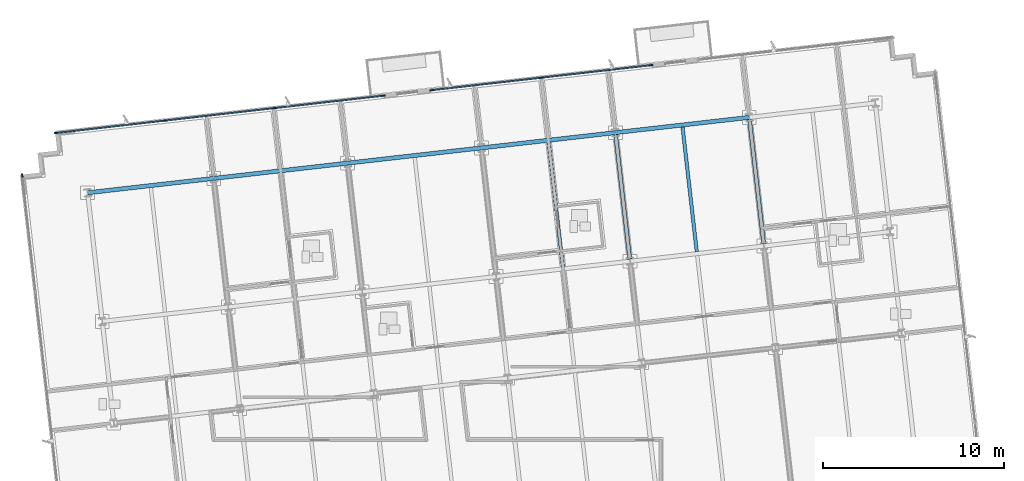
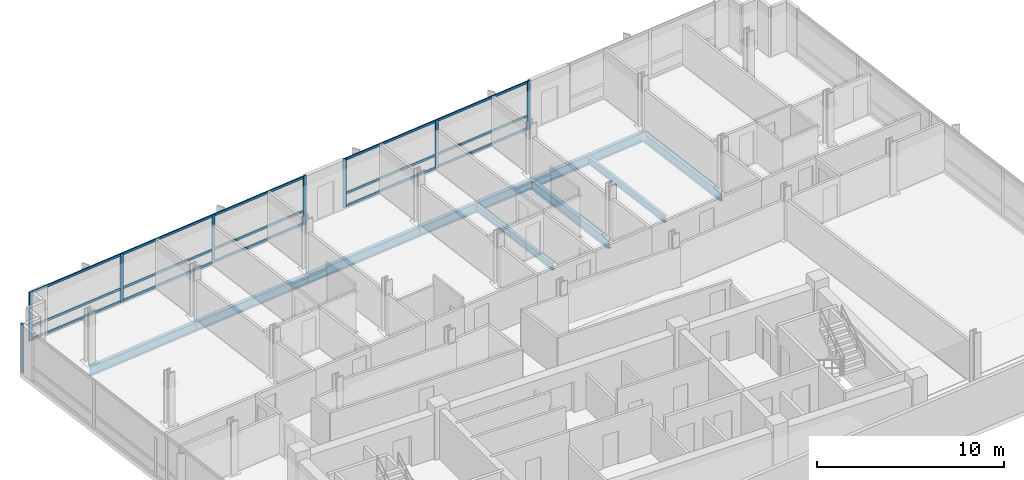
# One storey, part 5 of 16: 23 members, 9 beams, 3 elements without a shape of their own.
"""IFC4 building model written with IfcOpenShell, lengths in metres."""

from ifc_helpers import new_model, si_unit, direction, frame, origin, origin_2d, place, context, subcontext, project, spatial, rectangle, i_section, extrude, material, material_profile, profile_set, type_object, element, aggregate, save


model = new_model("IFC4")

# Units and contexts
model_context = context("Model", 3, precision=1e-05, world=origin(), true_north=direction((0.0, 1.0)))
body_context = subcontext(model_context, "Body", "Model", "MODEL_VIEW")
ifc_project = project(units=[si_unit("LENGTHUNIT", "METRE"), si_unit("AREAUNIT", "SQUARE_METRE"), si_unit("VOLUMEUNIT", "CUBIC_METRE"), si_unit("PLANEANGLEUNIT", "RADIAN"), si_unit("MASSUNIT", "GRAM", prefix="KILO")], contexts=[model_context])

# Site, building, storey
site_placement = place(None, origin())
site = spatial("IfcSite", under=ifc_project, at=site_placement, CompositionType="ELEMENT")
building_placement = place(site_placement, origin())
building = spatial("IfcBuilding", under=site, at=building_placement, Name="Solmavex Isthmus Hotel", CompositionType="ELEMENT")
storey_placement = place(building_placement, frame((0.0, 0.0, 205.5)))
storey = spatial("IfcBuildingStorey", under=building, at=storey_placement, Name="L55", CompositionType="ELEMENT", Elevation=205.5)

# Beams
ifc_material_1 = material(Name="Steel ASTM A992 Grade 50", Category="steel")
ifc_material_profile_1 = material_profile(ifc_material_1, i_section(OverallWidth=0.1904296875, OverallDepth=0.456787109375, WebThickness=0.009033203125, FlangeThickness=0.014404296875, FilletRadius=0.0126953125, at=origin_2d()), Name="W18X50")
ifc_profile_set_1 = profile_set([ifc_material_profile_1], Name="Steel ASTM A992 Grade 50")
beam_type_1 = type_object("IfcBeamType", Name="BM-BJ-W18X50", PredefinedType="JOIST", material=ifc_profile_set_1)
for number, where, z_axis, x_axis, name in (
    (1, (7.009033203125, 10.1328125, -0.488525390625), (-0.113202453846, 0.993571942258, 0.0), (-0.993571942258, -0.113202453846, 0.0), "Secondary Floor Joist L55-J14"),
    (2, (14.4072265625, 10.975830078125, -0.488525390625), (-0.113202453846, 0.993571942258, 0.0), (-0.993571942258, -0.113202453846, 0.0), "Secondary Floor Joist L55-J18"),
):
    element("IfcBeam", number, at=place(storey_placement, frame(where, z_axis=z_axis, x_axis=x_axis)), inside=storey, type_object=beam_type_1, Name=name, PredefinedType="JOIST", context=body_context, shape_type="SweptSolid", body=[
        extrude(i_section(OverallWidth=0.1904296875, OverallDepth=0.456787109375, WebThickness=0.009033203125, FlangeThickness=0.014404296875, FilletRadius=0.0126953125, at=origin_2d()), origin(), (0.0, 0.0, 1.0), 6.9228515625),
    ])
ifc_material_profile_2 = material_profile(ifc_material_1, i_section(OverallWidth=0.227783203125, OverallDepth=0.602783203125, WebThickness=0.010498046875, FlangeThickness=0.014892578125, FilletRadius=0.01513671875, at=origin_2d()), Name="W24X68")
ifc_profile_set_2 = profile_set([ifc_material_profile_2], Name="Steel ASTM A992 Grade 50")
beam_type_2 = type_object("IfcBeamType", Name="BM-BM-W24X68", PredefinedType="BEAM", material=ifc_profile_set_2)
for number, where, z_axis, x_axis, name in (
    (3, (10.708251953125, 10.55419921875, -0.561279296875), (-0.113202453846, 0.993571942258, 0.0), (-0.993571942258, -0.113202453846, 0.0), "Floor Beam L55-VG39"),
    (4, (18.106201171875, 11.397216796875, -0.561279296875), (-0.113202453846, 0.993571942258, 0.0), (-0.993571942258, -0.113202453846, 0.0), "Floor Beam L55-VG42"),
):
    element("IfcBeam", number, at=place(storey_placement, frame(where, z_axis=z_axis, x_axis=x_axis)), inside=storey, type_object=beam_type_2, Name=name, PredefinedType="BEAM", context=body_context, shape_type="SweptSolid", body=[
        extrude(i_section(OverallWidth=0.227783203125, OverallDepth=0.602783203125, WebThickness=0.010498046875, FlangeThickness=0.014892578125, FilletRadius=0.01513671875, at=origin_2d()), origin(), (0.0, 0.0, 1.0), 6.9228515625),
    ])
ifc_material_profile_3 = material_profile(ifc_material_1, i_section(OverallWidth=0.230224609375, OverallDepth=0.617431640625, WebThickness=0.01318359375, FlangeThickness=0.022216796875, FilletRadius=0.01513671875, at=origin_2d()), Name="W24X94")
ifc_profile_set_3 = profile_set([ifc_material_profile_3], Name="Steel ASTM A992 Grade 50")
beam_type_3 = type_object("IfcBeamType", Name="BM-SP-W24X94", PredefinedType="SPANDREL", material=ifc_profile_set_3)
beam_1_placement = place(storey_placement, frame((-19.245849609375, 14.22509765625, -0.56884765625), z_axis=(0.99357359356, 0.113187959519, 0.0), x_axis=(-0.113187959519, 0.99357359356, 0.0)))
element("IfcBeam", 5, at=beam_1_placement, inside=storey, type_object=beam_type_3, Name="Floor Girder L55-UG18", PredefinedType="SPANDREL", context=body_context, shape_type="SweptSolid", body=[
    extrude(i_section(OverallWidth=0.230224609375, OverallDepth=0.617431640625, WebThickness=0.01318359375, FlangeThickness=0.022216796875, FilletRadius=0.01513671875, at=origin_2d()), origin(), (0.0, 0.0, 1.0), 7.0078125),
])
beam_2_placement = place(storey_placement, frame((-12.282958984375, 15.018310546875, -0.56884765625), z_axis=(0.9935703463, 0.113216460607, 0.0), x_axis=(-0.113216460607, 0.9935703463, 0.0)))
element("IfcBeam", 6, at=beam_2_placement, inside=storey, type_object=beam_type_3, Name="Floor Girder L55-UG19", PredefinedType="SPANDREL", context=body_context, shape_type="SweptSolid", body=[
    extrude(i_section(OverallWidth=0.230224609375, OverallDepth=0.617431640625, WebThickness=0.01318359375, FlangeThickness=0.022216796875, FilletRadius=0.01513671875, at=origin_2d()), origin(), (0.0, 0.0, 1.0), 7.446044921875),
])
beam_3_placement = place(storey_placement, frame((-4.884765625, 15.861328125, -0.56884765625), z_axis=(0.993573613989, 0.113187780196, 0.0), x_axis=(-0.113187780196, 0.993573613989, 0.0)))
element("IfcBeam", 7, at=beam_3_placement, inside=storey, type_object=beam_type_3, Name="Floor Girder L55-UG20", PredefinedType="SPANDREL", context=body_context, shape_type="SweptSolid", body=[
    extrude(i_section(OverallWidth=0.230224609375, OverallDepth=0.617431640625, WebThickness=0.01318359375, FlangeThickness=0.022216796875, FilletRadius=0.01513671875, at=origin_2d()), origin(), (0.0, 0.0, 1.0), 7.44580078125),
])
for number, where, z_axis, x_axis, name in (
    (8, (2.51318359375, 16.7041015625, -0.56884765625), (0.9935703463, 0.113216460607, 0.0), (-0.113216460607, 0.9935703463, 0.0), "Floor Girder L55-UG21"),
    (9, (9.911376953125, 17.547119140625, -0.56884765625), (0.9935703463, 0.113216460607, 0.0), (-0.113216460607, 0.9935703463, 0.0), "Floor Girder L55-UG22"),
):
    element("IfcBeam", number, at=place(storey_placement, frame(where, z_axis=z_axis, x_axis=x_axis)), inside=storey, type_object=beam_type_3, Name=name, PredefinedType="SPANDREL", context=body_context, shape_type="SweptSolid", body=[
        extrude(i_section(OverallWidth=0.230224609375, OverallDepth=0.617431640625, WebThickness=0.01318359375, FlangeThickness=0.022216796875, FilletRadius=0.01513671875, at=origin_2d()), origin(), (0.0, 0.0, 1.0), 7.446044921875),
    ])

# Curtain wall, members
ifc_material_2 = material(Name="Aluminium alloy 6063-T6", Category="aluminium")
curtain_wall_type = type_object("IfcCurtainWallType", Name="CW-SYS-04", PredefinedType="NOTDEFINED", material=ifc_material_2)
curtain_wall_1_placement = place(storey_placement, origin())
curtain_wall_1 = element("IfcCurtainWall", 10, at=curtain_wall_1_placement, inside=storey, type_object=curtain_wall_type, Name="Stick Curtain Wall CWL-L55-N1", PredefinedType="NOTDEFINED")
ifc_material_profile_4 = material_profile(ifc_material_2, rectangle(XDim=0.074951171875, YDim=0.199951171875, at=origin_2d()), Name="CWM-75X200")
ifc_profile_set_4 = profile_set([ifc_material_profile_4], Name="Aluminium alloy 6063-T6")
member_type_1 = type_object("IfcMemberType", Name="CW-SYS-04-MUL", PredefinedType="MULLION", material=ifc_profile_set_4)
member_1_placement = place(storey_placement, frame((-20.99365234375, 17.528564453125, 0.0), z_axis=(0.0, 0.0, 1.0), x_axis=(-0.113202953513, 0.993571885329, 0.0)))
member_1 = element("IfcMember", 11, at=member_1_placement, type_object=member_type_1, Name="CW-04 mullion 1", PredefinedType="MULLION", context=body_context, shape_type="SweptSolid", body=[
    extrude(rectangle(XDim=0.074951171875, YDim=0.199951171875, at=origin_2d()), origin(), (0.0, 0.0, 1.0), 3.18994140625),
])
member_2_placement = place(storey_placement, frame((-14.977783203125, 18.2138671875, 0.0), z_axis=(0.0, 0.0, 1.0), x_axis=(-0.113202953513, 0.993571885329, 0.0)))
member_2 = element("IfcMember", 12, at=member_2_placement, type_object=member_type_1, Name="CW-04 mullion 2", PredefinedType="MULLION", context=body_context, shape_type="SweptSolid", body=[
    extrude(rectangle(XDim=0.074951171875, YDim=0.199951171875, at=origin_2d()), origin(), (0.0, 0.0, 1.0), 3.18994140625),
])
member_3_placement = place(storey_placement, frame((-8.924560546875, 18.903564453125, 0.0), z_axis=(0.0, 0.0, 1.0), x_axis=(-0.113202953513, 0.993571885329, 0.0)))
member_3 = element("IfcMember", 13, at=member_3_placement, type_object=member_type_1, Name="CW-04 mullion 3", PredefinedType="MULLION", context=body_context, shape_type="SweptSolid", body=[
    extrude(rectangle(XDim=0.074951171875, YDim=0.199951171875, at=origin_2d()), origin(), (0.0, 0.0, 1.0), 3.18994140625),
])
member_4_placement = place(storey_placement, frame((-2.90869140625, 19.5888671875, 0.0), z_axis=(0.0, 0.0, 1.0), x_axis=(-0.113202953513, 0.993571885329, 0.0)))
member_4 = element("IfcMember", 14, at=member_4_placement, type_object=member_type_1, Name="CW-04 mullion 4", PredefinedType="MULLION", context=body_context, shape_type="SweptSolid", body=[
    extrude(rectangle(XDim=0.074951171875, YDim=0.199951171875, at=origin_2d()), origin(), (0.0, 0.0, 1.0), 3.18994140625),
])

curtain_wall_2_placement = place(storey_placement, origin())
curtain_wall_2 = element("IfcCurtainWall", 15, at=curtain_wall_2_placement, inside=storey, type_object=curtain_wall_type, Name="Stick Curtain Wall CWL-L55-N2", PredefinedType="NOTDEFINED")
member_5_placement = place(storey_placement, frame((-0.250732421875, 19.891845703125, 0.0), z_axis=(0.0, 0.0, 1.0), x_axis=(-0.113202856801, 0.993571896348, 0.0)))
member_5 = element("IfcMember", 16, at=member_5_placement, type_object=member_type_1, Name="CW-04 mullion 1", PredefinedType="MULLION", context=body_context, shape_type="SweptSolid", body=[
    extrude(rectangle(XDim=0.074951171875, YDim=0.199951171875, at=origin_2d()), origin(), (0.0, 0.0, 1.0), 3.18994140625),
])
member_6_placement = place(storey_placement, frame((5.818359375, 20.583251953125, 0.0), z_axis=(0.0, 0.0, 1.0), x_axis=(-0.113202856801, 0.993571896348, 0.0)))
member_6 = element("IfcMember", 17, at=member_6_placement, type_object=member_type_1, Name="CW-04 mullion 2", PredefinedType="MULLION", context=body_context, shape_type="SweptSolid", body=[
    extrude(rectangle(XDim=0.074951171875, YDim=0.199951171875, at=origin_2d()), origin(), (0.0, 0.0, 1.0), 3.18994140625),
])
member_7_placement = place(storey_placement, frame((11.8876953125, 21.27490234375, 0.0), z_axis=(0.0, 0.0, 1.0), x_axis=(-0.113202856801, 0.993571896348, 0.0)))
member_7 = element("IfcMember", 18, at=member_7_placement, type_object=member_type_1, Name="CW-04 mullion 3", PredefinedType="MULLION", context=body_context, shape_type="SweptSolid", body=[
    extrude(rectangle(XDim=0.074951171875, YDim=0.199951171875, at=origin_2d()), origin(), (0.0, 0.0, 1.0), 3.18994140625),
])

# Curtain wall, member
curtain_wall_3_placement = place(storey_placement, origin())
curtain_wall_3 = element("IfcCurtainWall", 19, at=curtain_wall_3_placement, inside=storey, type_object=curtain_wall_type, Name="Stick Curtain Wall CWL-L55-W1", PredefinedType="NOTDEFINED")
member_8_placement = place(storey_placement, frame((-22.85791015625, 15.184814453125, 0.0), z_axis=(0.0, 0.0, 1.0), x_axis=(-0.993571836648, -0.11320338078, 0.0)))
member_8 = element("IfcMember", 20, at=member_8_placement, type_object=member_type_1, Name="CW-04 mullion 6", PredefinedType="MULLION", context=body_context, shape_type="SweptSolid", body=[
    extrude(rectangle(XDim=0.074951171875, YDim=0.199951171875, at=origin_2d()), origin(), (0.0, 0.0, 1.0), 3.18994140625),
])
aggregate(curtain_wall_3, [member_8])

# Member
ifc_material_profile_5 = material_profile(ifc_material_2, rectangle(XDim=0.074951171875, YDim=0.14990234375, at=origin_2d()), Name="CWT-75X150")
ifc_profile_set_5 = profile_set([ifc_material_profile_5], Name="Aluminium alloy 6063-T6")
member_type_2 = type_object("IfcMemberType", Name="CW-SYS-04-TRN", PredefinedType="USERDEFINED", material=ifc_profile_set_5)
member_9_placement = place(storey_placement, frame((-20.956298828125, 17.53271484375, 0.074951171875), z_axis=(0.993570647741, 0.113213815179, 0.0), x_axis=(-0.113213815179, 0.993570647741, 0.0)))
member_9 = element("IfcMember", 21, at=member_9_placement, type_object=member_type_2, Name="CW-04 transom 1.1", ObjectType="TRANSOM", PredefinedType="USERDEFINED", context=body_context, shape_type="SweptSolid", body=[
    extrude(rectangle(XDim=0.074951171875, YDim=0.14990234375, at=origin_2d()), origin(), (0.0, 0.0, 1.0), 5.979736328125),
])

member_10_placement = place(storey_placement, frame((-20.956298828125, 17.53271484375, 0.89990234375), z_axis=(0.993570647741, 0.113213815179, 0.0), x_axis=(-0.113213815179, 0.993570647741, 0.0)))
member_10 = element("IfcMember", 22, at=member_10_placement, type_object=member_type_2, Name="CW-04 transom 1.2", ObjectType="TRANSOM", PredefinedType="USERDEFINED", context=body_context, shape_type="SweptSolid", body=[
    extrude(rectangle(XDim=0.074951171875, YDim=0.14990234375, at=origin_2d()), origin(), (0.0, 0.0, 1.0), 5.979736328125),
])

member_11_placement = place(storey_placement, frame((-20.956298828125, 17.53271484375, 3.114990234375), z_axis=(0.993570647741, 0.113213815179, 0.0), x_axis=(-0.113213815179, 0.993570647741, 0.0)))
member_11 = element("IfcMember", 23, at=member_11_placement, type_object=member_type_2, Name="CW-04 transom 1.3", ObjectType="TRANSOM", PredefinedType="USERDEFINED", context=body_context, shape_type="SweptSolid", body=[
    extrude(rectangle(XDim=0.074951171875, YDim=0.14990234375, at=origin_2d()), origin(), (0.0, 0.0, 1.0), 5.979736328125),
])

member_12_placement = place(storey_placement, frame((-14.9404296875, 18.218017578125, 0.074951171875), z_axis=(0.993567543212, 0.113241057379, 0.0), x_axis=(-0.113241057379, 0.993567543212, 0.0)))
member_12 = element("IfcMember", 24, at=member_12_placement, type_object=member_type_2, Name="CW-04 transom 2.1", ObjectType="TRANSOM", PredefinedType="USERDEFINED", context=body_context, shape_type="SweptSolid", body=[
    extrude(rectangle(XDim=0.074951171875, YDim=0.14990234375, at=origin_2d()), origin(), (0.0, 0.0, 1.0), 6.017333984375),
])

member_13_placement = place(storey_placement, frame((-14.9404296875, 18.218017578125, 0.89990234375), z_axis=(0.993567543212, 0.113241057379, 0.0), x_axis=(-0.113241057379, 0.993567543212, 0.0)))
member_13 = element("IfcMember", 25, at=member_13_placement, type_object=member_type_2, Name="CW-04 transom 2.2", ObjectType="TRANSOM", PredefinedType="USERDEFINED", context=body_context, shape_type="SweptSolid", body=[
    extrude(rectangle(XDim=0.074951171875, YDim=0.14990234375, at=origin_2d()), origin(), (0.0, 0.0, 1.0), 6.017333984375),
])

member_14_placement = place(storey_placement, frame((-14.9404296875, 18.218017578125, 3.114990234375), z_axis=(0.993567543212, 0.113241057379, 0.0), x_axis=(-0.113241057379, 0.993567543212, 0.0)))
member_14 = element("IfcMember", 26, at=member_14_placement, type_object=member_type_2, Name="CW-04 transom 2.3", ObjectType="TRANSOM", PredefinedType="USERDEFINED", context=body_context, shape_type="SweptSolid", body=[
    extrude(rectangle(XDim=0.074951171875, YDim=0.14990234375, at=origin_2d()), origin(), (0.0, 0.0, 1.0), 6.017333984375),
])

member_15_placement = place(storey_placement, frame((-8.88720703125, 18.90771484375, 0.074951171875), z_axis=(0.993570647741, 0.113213815179, 0.0), x_axis=(-0.113213815179, 0.993570647741, 0.0)))
member_15 = element("IfcMember", 27, at=member_15_placement, type_object=member_type_2, Name="CW-04 transom 3.1", ObjectType="TRANSOM", PredefinedType="USERDEFINED", context=body_context, shape_type="SweptSolid", body=[
    extrude(rectangle(XDim=0.074951171875, YDim=0.14990234375, at=origin_2d()), origin(), (0.0, 0.0, 1.0), 5.979736328125),
])

member_16_placement = place(storey_placement, frame((-8.88720703125, 18.90771484375, 0.89990234375), z_axis=(0.993570647741, 0.113213815179, 0.0), x_axis=(-0.113213815179, 0.993570647741, 0.0)))
member_16 = element("IfcMember", 28, at=member_16_placement, type_object=member_type_2, Name="CW-04 transom 3.2", ObjectType="TRANSOM", PredefinedType="USERDEFINED", context=body_context, shape_type="SweptSolid", body=[
    extrude(rectangle(XDim=0.074951171875, YDim=0.14990234375, at=origin_2d()), origin(), (0.0, 0.0, 1.0), 5.979736328125),
])

member_17_placement = place(storey_placement, frame((-8.88720703125, 18.90771484375, 3.114990234375), z_axis=(0.993570647741, 0.113213815179, 0.0), x_axis=(-0.113213815179, 0.993570647741, 0.0)))
member_17 = element("IfcMember", 29, at=member_17_placement, type_object=member_type_2, Name="CW-04 transom 3.3", ObjectType="TRANSOM", PredefinedType="USERDEFINED", context=body_context, shape_type="SweptSolid", body=[
    extrude(rectangle(XDim=0.074951171875, YDim=0.14990234375, at=origin_2d()), origin(), (0.0, 0.0, 1.0), 5.979736328125),
])

aggregate(curtain_wall_1, [member_1, member_2, member_3, member_4, member_9, member_10, member_11, member_12, member_13, member_14, member_15, member_16, member_17])

member_18_placement = place(storey_placement, frame((-0.213623046875, 19.89599609375, 0.074951171875), z_axis=(0.993570439577, 0.113215642025, 0.0), x_axis=(-0.113215642025, 0.993570439577, 0.0)))
member_18 = element("IfcMember", 30, at=member_18_placement, type_object=member_type_2, Name="CW-04 transom 1.1", ObjectType="TRANSOM", PredefinedType="USERDEFINED", context=body_context, shape_type="SweptSolid", body=[
    extrude(rectangle(XDim=0.074951171875, YDim=0.14990234375, at=origin_2d()), origin(), (0.0, 0.0, 1.0), 6.03369140625),
])

member_19_placement = place(storey_placement, frame((-0.213623046875, 19.89599609375, 0.89990234375), z_axis=(0.993570439577, 0.113215642025, 0.0), x_axis=(-0.113215642025, 0.993570439577, 0.0)))
member_19 = element("IfcMember", 31, at=member_19_placement, type_object=member_type_2, Name="CW-04 transom 1.2", ObjectType="TRANSOM", PredefinedType="USERDEFINED", context=body_context, shape_type="SweptSolid", body=[
    extrude(rectangle(XDim=0.074951171875, YDim=0.14990234375, at=origin_2d()), origin(), (0.0, 0.0, 1.0), 6.03369140625),
])

member_20_placement = place(storey_placement, frame((-0.213623046875, 19.89599609375, 3.114990234375), z_axis=(0.993570439577, 0.113215642025, 0.0), x_axis=(-0.113215642025, 0.993570439577, 0.0)))
member_20 = element("IfcMember", 32, at=member_20_placement, type_object=member_type_2, Name="CW-04 transom 1.3", ObjectType="TRANSOM", PredefinedType="USERDEFINED", context=body_context, shape_type="SweptSolid", body=[
    extrude(rectangle(XDim=0.074951171875, YDim=0.14990234375, at=origin_2d()), origin(), (0.0, 0.0, 1.0), 6.03369140625),
])

member_21_placement = place(storey_placement, frame((5.855712890625, 20.587646484375, 0.074951171875), z_axis=(0.993574472077, 0.113180247552, 0.0), x_axis=(-0.113180247552, 0.993574472077, 0.0)))
member_21 = element("IfcMember", 33, at=member_21_placement, type_object=member_type_2, Name="CW-04 transom 2.1", ObjectType="TRANSOM", PredefinedType="USERDEFINED", context=body_context, shape_type="SweptSolid", body=[
    extrude(rectangle(XDim=0.074951171875, YDim=0.14990234375, at=origin_2d()), origin(), (0.0, 0.0, 1.0), 6.033447265625),
])

member_22_placement = place(storey_placement, frame((5.855712890625, 20.587646484375, 0.89990234375), z_axis=(0.993574472077, 0.113180247552, 0.0), x_axis=(-0.113180247552, 0.993574472077, 0.0)))
member_22 = element("IfcMember", 34, at=member_22_placement, type_object=member_type_2, Name="CW-04 transom 2.2", ObjectType="TRANSOM", PredefinedType="USERDEFINED", context=body_context, shape_type="SweptSolid", body=[
    extrude(rectangle(XDim=0.074951171875, YDim=0.14990234375, at=origin_2d()), origin(), (0.0, 0.0, 1.0), 6.033447265625),
])

member_23_placement = place(storey_placement, frame((5.855712890625, 20.587646484375, 3.114990234375), z_axis=(0.993574472077, 0.113180247552, 0.0), x_axis=(-0.113180247552, 0.993574472077, 0.0)))
member_23 = element("IfcMember", 35, at=member_23_placement, type_object=member_type_2, Name="CW-04 transom 2.3", ObjectType="TRANSOM", PredefinedType="USERDEFINED", context=body_context, shape_type="SweptSolid", body=[
    extrude(rectangle(XDim=0.074951171875, YDim=0.14990234375, at=origin_2d()), origin(), (0.0, 0.0, 1.0), 6.033447265625),
])

aggregate(curtain_wall_2, [member_5, member_6, member_7, member_18, member_19, member_20, member_21, member_22, member_23])

save(model, "model.ifc")
